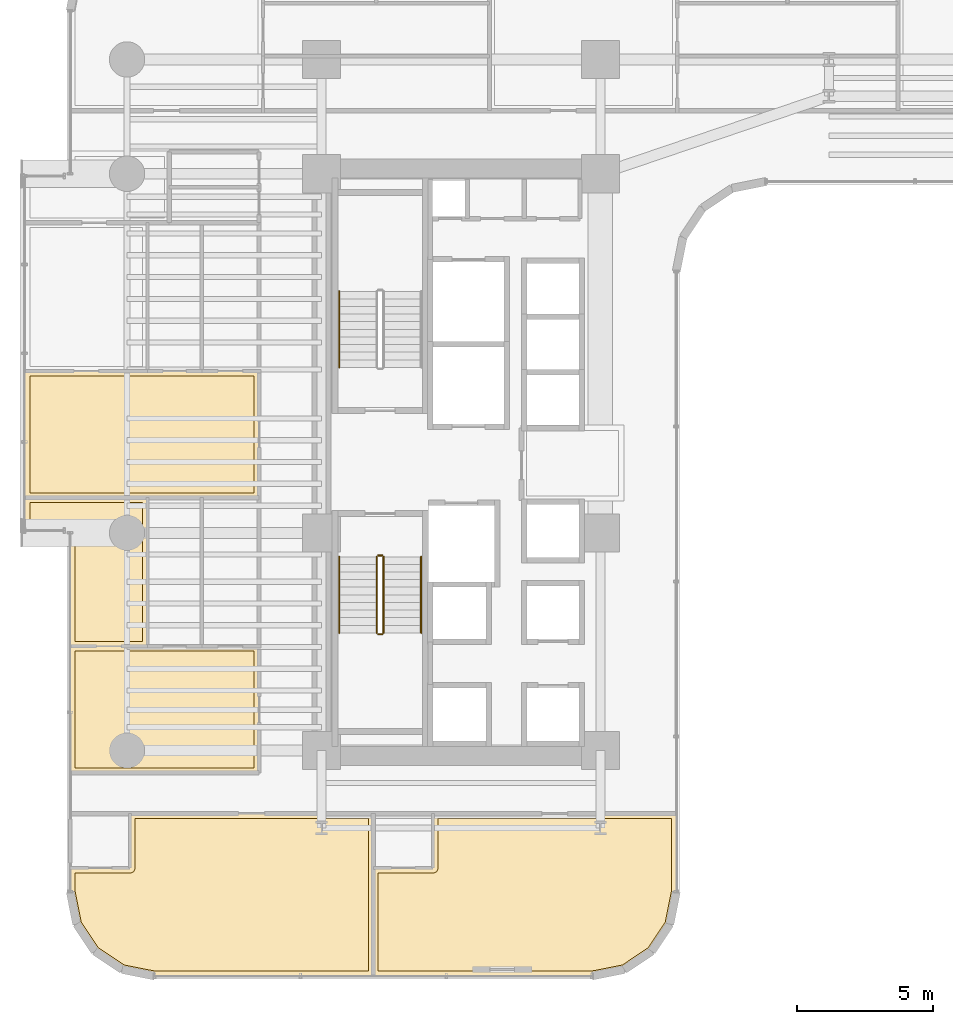
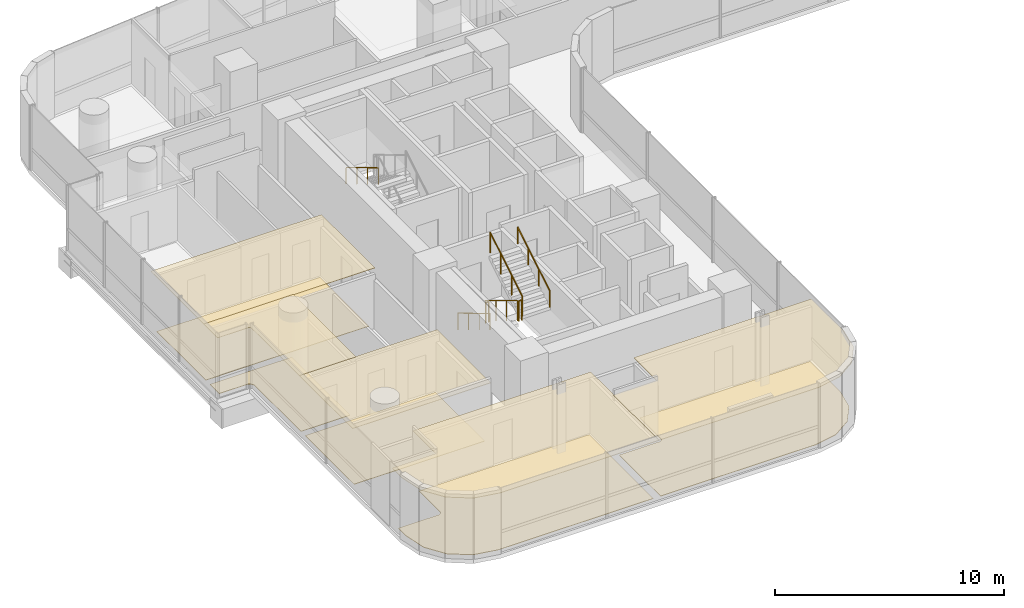
# One storey, part 35 of 40: 10 coverings, 7 railings.
"""IFC4 building model written with IfcOpenShell, lengths in metres."""

from ifc_helpers import new_model, si_unit, direction, frame, origin, origin_2d, place, context, subcontext, project, spatial, polyline, circle, outline, extrude, material, layer, layer_set, type_object, element, save


model = new_model("IFC4")

# Units and contexts
model_context = context("Model", 3, precision=1e-05, world=origin(), true_north=direction((0.0, 1.0)))
body_context = subcontext(model_context, "Body", "Model", "MODEL_VIEW")
ifc_project = project(units=[si_unit("LENGTHUNIT", "METRE"), si_unit("AREAUNIT", "SQUARE_METRE"), si_unit("VOLUMEUNIT", "CUBIC_METRE"), si_unit("PLANEANGLEUNIT", "RADIAN"), si_unit("MASSUNIT", "GRAM", prefix="KILO")], contexts=[model_context])

# Site, building, storey
site_placement = place(None, origin())
site = spatial("IfcSite", under=ifc_project, at=site_placement, CompositionType="ELEMENT")
building_placement = place(site_placement, origin())
building = spatial("IfcBuilding", under=site, at=building_placement, Name="Valdorenza Pilgrim Sanctuary Tower", CompositionType="ELEMENT")
storey_placement = place(building_placement, frame((0.0, 0.0, 40.800048828125)))
storey = spatial("IfcBuildingStorey", under=building, at=storey_placement, Name="L09", CompositionType="ELEMENT", Elevation=40.800048828125)

# Coverings
ifc_material_1 = material(Name="Micro-perforated acoustic mineral ceiling tile", Category="gypsum")
ifc_layer_1 = layer(ifc_material_1, 0.02490234375, Name="Micro-perforated acoustic mineral ceiling tile")
ifc_layer_set_1 = layer_set([ifc_layer_1], Name="Micro-perforated acoustic mineral ceiling tile")
covering_type_1 = type_object("IfcCoveringType", Name="COV-CLG-ACU", PredefinedType="CEILING", material=ifc_layer_set_1)
covering_1_placement = place(storey_placement, frame((0.0, 0.0, 3.159912109375)))
element("IfcCovering", 1, at=covering_1_placement, inside=storey, type_object=covering_type_1, Name="L09 Pilgrim Family Flat L09-W1 Bedroom Acoustic Ceiling", PredefinedType="CEILING", context=body_context, shape_type="SweptSolid", body=[
    extrude(outline(polyline([(-29.034912109375, -6.769287109375), (-29.03515625, -6.77099609375), (-29.035400390625, -6.772216796875), (-29.03564453125, -6.773681640625), (-29.0361328125, -6.775146484375), (-29.036865234375, -6.776611328125), (-29.03759765625, -6.777587890625), (-29.038330078125, -6.77880859375), (-29.039306640625, -6.780029296875), (-29.04052734375, -6.781005859375), (-29.041748046875, -6.781982421875), (-29.04296875, -6.78271484375), (-29.044189453125, -6.783203125), (-29.045654296875, -6.78369140625), (-29.047119140625, -6.7841796875), (-29.048583984375, -6.7841796875), (-29.050048828125, -6.784423828125), (-31.889892578125, -6.784423828125), (-31.8916015625, -6.7841796875), (-31.892822265625, -6.7841796875), (-31.894287109375, -6.78369140625), (-31.895751953125, -6.783203125), (-31.897216796875, -6.78271484375), (-31.898193359375, -6.781982421875), (-31.8994140625, -6.781005859375), (-31.900634765625, -6.780029296875), (-31.901611328125, -6.77880859375), (-31.902587890625, -6.777587890625), (-31.9033203125, -6.776611328125), (-31.90380859375, -6.775146484375), (-31.904296875, -6.773681640625), (-31.90478515625, -6.772216796875), (-31.90478515625, -6.77099609375), (-31.905029296875, -6.769287109375), (-31.905029296875, -2.600341796875), (-31.905517578125, -2.5908203125), (-31.90673828125, -2.58154296875), (-31.9091796875, -2.572509765625), (-31.912109375, -2.563720703125), (-31.916259765625, -2.55517578125), (-31.9208984375, -2.547119140625), (-31.926513671875, -2.539794921875), (-31.932861328125, -2.53271484375), (-31.939697265625, -2.526611328125), (-31.947265625, -2.52099609375), (-31.955078125, -2.51611328125), (-31.963623046875, -2.51220703125), (-31.972412109375, -2.509033203125), (-31.9814453125, -2.5068359375), (-31.99072265625, -2.505615234375), (-32.00048828125, -2.5048828125), (-33.5400390625, -2.5048828125), (-33.54150390625, -2.5048828125), (-33.54296875, -2.504638671875), (-33.54443359375, -2.50439453125), (-33.545654296875, -2.50390625), (-33.547119140625, -2.503173828125), (-33.54833984375, -2.50244140625), (-33.549560546875, -2.501708984375), (-33.550537109375, -2.50048828125), (-33.551513671875, -2.49951171875), (-33.552490234375, -2.498291015625), (-33.55322265625, -2.4970703125), (-33.553955078125, -2.49560546875), (-33.554443359375, -2.494384765625), (-33.5546875, -2.492919921875), (-33.554931640625, -2.491455078125), (-33.554931640625, -2.489990234375), (-33.554931640625, -1.31005859375), (-33.554931640625, -1.30859375), (-33.5546875, -1.30712890625), (-33.554443359375, -1.3056640625), (-33.553955078125, -1.30419921875), (-33.55322265625, -1.302978515625), (-33.552490234375, -1.3017578125), (-33.551513671875, -1.300537109375), (-33.550537109375, -1.29931640625), (-33.549560546875, -1.29833984375), (-33.54833984375, -1.297607421875), (-33.547119140625, -1.296875), (-33.545654296875, -1.296142578125), (-33.54443359375, -1.295654296875), (-33.54296875, -1.29541015625), (-33.54150390625, -1.295166015625), (-33.5400390625, -1.294921875), (-29.050048828125, -1.294921875), (-29.048583984375, -1.295166015625), (-29.047119140625, -1.29541015625), (-29.045654296875, -1.295654296875), (-29.044189453125, -1.296142578125), (-29.04296875, -1.296875), (-29.041748046875, -1.297607421875), (-29.04052734375, -1.29833984375), (-29.039306640625, -1.29931640625), (-29.038330078125, -1.300537109375), (-29.03759765625, -1.3017578125), (-29.036865234375, -1.302978515625), (-29.0361328125, -1.30419921875), (-29.03564453125, -1.3056640625), (-29.035400390625, -1.30712890625), (-29.03515625, -1.30859375), (-29.034912109375, -1.31005859375), (-29.034912109375, -6.769287109375)])), origin(), (0.0, 0.0, 1.0), 0.025146484375),
])
covering_2_placement = place(storey_placement, frame((0.0, 0.0, 3.159912109375)))
element("IfcCovering", 2, at=covering_2_placement, inside=storey, type_object=covering_type_1, Name="L09 Pilgrim Family Flat L09-W1 Living Room Acoustic Ceiling", PredefinedType="CEILING", context=body_context, shape_type="SweptSolid", body=[
    extrude(outline(polyline([(-29.055419921875, -6.75634765625), (-29.054931640625, -6.756103515625), (-29.0537109375, -6.755615234375), (-29.05224609375, -6.7548828125), (-29.05078125, -6.754638671875), (-29.04931640625, -6.75439453125), (-29.048095703125, -6.75439453125), (-24.949951171875, -6.75439453125), (-24.948486328125, -6.75439453125), (-24.947021484375, -6.754638671875), (-24.945556640625, -6.7548828125), (-24.9443359375, -6.755615234375), (-24.94287109375, -6.756103515625), (-24.941650390625, -6.7568359375), (-24.9404296875, -6.7578125), (-24.939453125, -6.7587890625), (-24.9384765625, -6.760009765625), (-24.9375, -6.760986328125), (-24.936767578125, -6.76220703125), (-24.93603515625, -6.763671875), (-24.935546875, -6.764892578125), (-24.935302734375, -6.7666015625), (-24.93505859375, -6.767822265625), (-24.93505859375, -6.769287109375), (-24.93505859375, -11.419921875), (-24.93505859375, -11.42138671875), (-24.935302734375, -11.4228515625), (-24.935546875, -11.42431640625), (-24.93603515625, -11.42578125), (-24.936767578125, -11.427001953125), (-24.9375, -11.42822265625), (-24.9384765625, -11.429443359375), (-24.939453125, -11.4306640625), (-24.9404296875, -11.431640625), (-24.941650390625, -11.4326171875), (-24.94287109375, -11.43310546875), (-24.9443359375, -11.433837890625), (-24.945556640625, -11.434326171875), (-24.947021484375, -11.434814453125), (-24.948486328125, -11.434814453125), (-24.949951171875, -11.43505859375), (-31.889892578125, -11.43505859375), (-31.8916015625, -11.434814453125), (-31.892822265625, -11.434814453125), (-31.894287109375, -11.434326171875), (-31.895751953125, -11.433837890625), (-31.897216796875, -11.43310546875), (-31.898193359375, -11.4326171875), (-31.8994140625, -11.431640625), (-31.900634765625, -11.4306640625), (-31.901611328125, -11.429443359375), (-31.902587890625, -11.42822265625), (-31.9033203125, -11.427001953125), (-31.90380859375, -11.42578125), (-31.904296875, -11.42431640625), (-31.90478515625, -11.4228515625), (-31.90478515625, -11.42138671875), (-31.905029296875, -11.419921875), (-31.905029296875, -6.771484375), (-31.90478515625, -6.77001953125), (-31.90478515625, -6.7685546875), (-31.904296875, -6.76708984375), (-31.90380859375, -6.765625), (-31.9033203125, -6.764404296875), (-31.902587890625, -6.76318359375), (-31.901611328125, -6.761962890625), (-31.900634765625, -6.7607421875), (-31.8994140625, -6.759765625), (-31.898193359375, -6.7587890625), (-31.897216796875, -6.75830078125), (-31.895751953125, -6.757568359375), (-31.894287109375, -6.757080078125), (-31.892822265625, -6.756591796875), (-31.8916015625, -6.756591796875), (-31.889892578125, -6.75634765625), (-29.055419921875, -6.75634765625)])), origin(), (0.0, 0.0, 1.0), 0.025146484375),
])
covering_3_placement = place(storey_placement, frame((0.0, 0.0, 3.159912109375)))
element("IfcCovering", 3, at=covering_3_placement, inside=storey, type_object=covering_type_1, Name="L09 Pilgrim Family Flat L09-W2 Living Room Acoustic Ceiling", PredefinedType="CEILING", context=body_context, shape_type="SweptSolid", body=[
    extrude(outline(polyline([(-29.055419921875, 3.353515625), (-29.054931640625, 3.35400390625), (-29.0537109375, 3.3544921875), (-29.05224609375, 3.35498046875), (-29.05078125, 3.355224609375), (-29.04931640625, 3.35546875), (-29.048095703125, 3.355712890625), (-24.949951171875, 3.355712890625), (-24.948486328125, 3.35546875), (-24.947021484375, 3.355224609375), (-24.945556640625, 3.35498046875), (-24.9443359375, 3.3544921875), (-24.94287109375, 3.353759765625), (-24.941650390625, 3.35302734375), (-24.9404296875, 3.352294921875), (-24.939453125, 3.351318359375), (-24.9384765625, 3.35009765625), (-24.9375, 3.348876953125), (-24.936767578125, 3.34765625), (-24.93603515625, 3.34619140625), (-24.935546875, 3.344970703125), (-24.935302734375, 3.343505859375), (-24.93505859375, 3.342041015625), (-24.93505859375, 3.340576171875), (-24.93505859375, -1.30810546875), (-24.93505859375, -1.3095703125), (-24.935302734375, -1.310791015625), (-24.935546875, -1.3125), (-24.93603515625, -1.313720703125), (-24.936767578125, -1.315185546875), (-24.9375, -1.31640625), (-24.9384765625, -1.3173828125), (-24.939453125, -1.318603515625), (-24.9404296875, -1.319580078125), (-24.941650390625, -1.320556640625), (-24.94287109375, -1.3212890625), (-24.9443359375, -1.322021484375), (-24.945556640625, -1.322509765625), (-24.947021484375, -1.32275390625), (-24.948486328125, -1.322998046875), (-24.949951171875, -1.322998046875), (-27.04833984375, -1.322998046875), (-27.048828125, -1.322998046875), (-27.050537109375, -1.3232421875), (-27.052001953125, -1.3232421875), (-27.053466796875, -1.322998046875), (-27.0537109375, -1.322998046875), (-29.04638671875, -1.322998046875), (-29.046875, -1.322998046875), (-29.048583984375, -1.3232421875), (-29.050048828125, -1.3232421875), (-29.051513671875, -1.322998046875), (-29.0517578125, -1.322998046875), (-33.5400390625, -1.322998046875), (-33.54150390625, -1.322998046875), (-33.54296875, -1.32275390625), (-33.54443359375, -1.322509765625), (-33.545654296875, -1.322021484375), (-33.547119140625, -1.3212890625), (-33.54833984375, -1.320556640625), (-33.549560546875, -1.319580078125), (-33.550537109375, -1.318603515625), (-33.551513671875, -1.3173828125), (-33.552490234375, -1.31640625), (-33.55322265625, -1.315185546875), (-33.553955078125, -1.313720703125), (-33.554443359375, -1.3125), (-33.5546875, -1.310791015625), (-33.554931640625, -1.3095703125), (-33.554931640625, -1.30810546875), (-33.554931640625, 3.338623046875), (-33.554931640625, 3.340087890625), (-33.5546875, 3.341552734375), (-33.554443359375, 3.343017578125), (-33.553955078125, 3.34423828125), (-33.55322265625, 3.345703125), (-33.552490234375, 3.346923828125), (-33.551513671875, 3.34814453125), (-33.550537109375, 3.34912109375), (-33.549560546875, 3.35009765625), (-33.54833984375, 3.35107421875), (-33.547119140625, 3.351806640625), (-33.545654296875, 3.3525390625), (-33.54443359375, 3.35302734375), (-33.54296875, 3.353271484375), (-33.54150390625, 3.353515625), (-33.5400390625, 3.353515625), (-29.055419921875, 3.353515625)])), origin(), (0.0, 0.0, 1.0), 0.025146484375),
])
covering_4_placement = place(storey_placement, frame((0.0, 0.0, 3.159912109375)))
element("IfcCovering", 4, at=covering_4_placement, inside=storey, type_object=covering_type_1, Name="L09 South Sanctuary Guest Room L09-S1A Acoustic Ceiling", PredefinedType="CEILING", context=body_context, shape_type="SweptSolid", body=[
    extrude(outline(polyline([(-29.702880859375, -14.906982421875), (-29.702880859375, -12.919921875), (-29.702880859375, -12.91845703125), (-29.70263671875, -12.9169921875), (-29.702392578125, -12.91552734375), (-29.701904296875, -12.914306640625), (-29.701171875, -12.912841796875), (-29.700439453125, -12.91162109375), (-29.69970703125, -12.910400390625), (-29.698486328125, -12.909423828125), (-29.697509765625, -12.908447265625), (-29.6962890625, -12.907470703125), (-29.695068359375, -12.90673828125), (-29.693603515625, -12.906005859375), (-29.6923828125, -12.905517578125), (-29.69091796875, -12.9052734375), (-29.689453125, -12.905029296875), (-29.68798828125, -12.905029296875), (-20.75, -12.905029296875), (-20.74853515625, -12.905029296875), (-20.7470703125, -12.9052734375), (-20.74560546875, -12.905517578125), (-20.744384765625, -12.906005859375), (-20.742919921875, -12.90673828125), (-20.74169921875, -12.907470703125), (-20.740478515625, -12.908447265625), (-20.739501953125, -12.909423828125), (-20.73828125, -12.910400390625), (-20.737548828125, -12.91162109375), (-20.73681640625, -12.912841796875), (-20.736083984375, -12.914306640625), (-20.735595703125, -12.91552734375), (-20.7353515625, -12.9169921875), (-20.735107421875, -12.91845703125), (-20.735107421875, -12.919921875), (-20.735107421875, -18.889892578125), (-20.735107421875, -18.8916015625), (-20.7353515625, -18.892822265625), (-20.735595703125, -18.894287109375), (-20.736083984375, -18.895751953125), (-20.73681640625, -18.897216796875), (-20.737548828125, -18.898193359375), (-20.73828125, -18.8994140625), (-20.739501953125, -18.900634765625), (-20.740478515625, -18.901611328125), (-20.74169921875, -18.902587890625), (-20.742919921875, -18.9033203125), (-20.744384765625, -18.90380859375), (-20.74560546875, -18.904296875), (-20.7470703125, -18.90478515625), (-20.74853515625, -18.90478515625), (-20.75, -18.905029296875), (-28.789306640625, -18.905029296875), (-28.79052734375, -18.90478515625), (-28.7919921875, -18.90478515625), (-29.984619140625, -18.66748046875), (-29.986083984375, -18.6669921875), (-29.9873046875, -18.66650390625), (-29.98876953125, -18.666015625), (-29.989990234375, -18.665283203125), (-30.99169921875, -17.995849609375), (-30.992919921875, -17.9951171875), (-30.993896484375, -17.993896484375), (-30.9951171875, -17.992919921875), (-30.995849609375, -17.99169921875), (-31.665283203125, -16.989990234375), (-31.666015625, -16.98876953125), (-31.66650390625, -16.9873046875), (-31.6669921875, -16.986083984375), (-31.66748046875, -16.984619140625), (-31.90478515625, -15.7919921875), (-31.90478515625, -15.79052734375), (-31.905029296875, -15.789306640625), (-31.905029296875, -14.922119140625), (-31.90478515625, -14.92041015625), (-31.90478515625, -14.919189453125), (-31.904296875, -14.91748046875), (-31.90380859375, -14.916259765625), (-31.9033203125, -14.914794921875), (-31.902587890625, -14.913818359375), (-31.901611328125, -14.91259765625), (-31.900634765625, -14.911376953125), (-31.8994140625, -14.910400390625), (-31.898193359375, -14.909423828125), (-31.897216796875, -14.90869140625), (-31.895751953125, -14.908203125), (-31.894287109375, -14.90771484375), (-31.892822265625, -14.9072265625), (-31.8916015625, -14.906982421875), (-31.889892578125, -14.906982421875), (-29.702880859375, -14.906982421875)])), origin(), (0.0, 0.0, 1.0), 0.025146484375),
])
covering_5_placement = place(storey_placement, frame((0.0, 0.0, 3.159912109375)))
element("IfcCovering", 5, at=covering_5_placement, inside=storey, type_object=covering_type_1, Name="L09 South Sanctuary Guest Room L09-S1B Acoustic Ceiling", PredefinedType="CEILING", context=body_context, shape_type="SweptSolid", body=[
    extrude(outline(polyline([(-18.56298828125, -14.906982421875), (-18.56298828125, -12.919921875), (-18.56298828125, -12.91845703125), (-18.562744140625, -12.9169921875), (-18.5625, -12.91552734375), (-18.56201171875, -12.914306640625), (-18.561279296875, -12.912841796875), (-18.560546875, -12.91162109375), (-18.5595703125, -12.910400390625), (-18.55859375, -12.909423828125), (-18.5576171875, -12.908447265625), (-18.556396484375, -12.907470703125), (-18.55517578125, -12.90673828125), (-18.5537109375, -12.906005859375), (-18.552490234375, -12.905517578125), (-18.55078125, -12.9052734375), (-18.549560546875, -12.905029296875), (-18.548095703125, -12.905029296875), (-9.610107421875, -12.905029296875), (-9.6083984375, -12.905029296875), (-9.607177734375, -12.9052734375), (-9.605712890625, -12.905517578125), (-9.604248046875, -12.906005859375), (-9.602783203125, -12.90673828125), (-9.601806640625, -12.907470703125), (-9.6005859375, -12.908447265625), (-9.599365234375, -12.909423828125), (-9.598388671875, -12.910400390625), (-9.597412109375, -12.91162109375), (-9.5966796875, -12.912841796875), (-9.59619140625, -12.914306640625), (-9.595703125, -12.91552734375), (-9.59521484375, -12.9169921875), (-9.59521484375, -12.91845703125), (-9.594970703125, -12.919921875), (-9.594970703125, -15.789306640625), (-9.59521484375, -15.79052734375), (-9.59521484375, -15.7919921875), (-9.83251953125, -16.984619140625), (-9.8330078125, -16.986083984375), (-9.83349609375, -16.9873046875), (-9.833984375, -16.98876953125), (-9.834716796875, -16.989990234375), (-10.504150390625, -17.99169921875), (-10.5048828125, -17.992919921875), (-10.506103515625, -17.993896484375), (-10.507080078125, -17.9951171875), (-10.50830078125, -17.995849609375), (-11.510009765625, -18.665283203125), (-11.51123046875, -18.666015625), (-11.5126953125, -18.66650390625), (-11.513916015625, -18.6669921875), (-11.515380859375, -18.66748046875), (-12.7080078125, -18.90478515625), (-12.70947265625, -18.90478515625), (-12.710693359375, -18.905029296875), (-20.748046875, -18.905029296875), (-20.74951171875, -18.90478515625), (-20.7509765625, -18.90478515625), (-20.75244140625, -18.904296875), (-20.753662109375, -18.90380859375), (-20.755126953125, -18.9033203125), (-20.75634765625, -18.902587890625), (-20.757568359375, -18.901611328125), (-20.758544921875, -18.900634765625), (-20.759521484375, -18.8994140625), (-20.760498046875, -18.898193359375), (-20.76123046875, -18.897216796875), (-20.761962890625, -18.895751953125), (-20.762451171875, -18.894287109375), (-20.7626953125, -18.892822265625), (-20.762939453125, -18.8916015625), (-20.762939453125, -18.889892578125), (-20.762939453125, -14.922119140625), (-20.762939453125, -14.92041015625), (-20.7626953125, -14.919189453125), (-20.762451171875, -14.91748046875), (-20.761962890625, -14.916259765625), (-20.76123046875, -14.914794921875), (-20.760498046875, -14.913818359375), (-20.759521484375, -14.91259765625), (-20.758544921875, -14.911376953125), (-20.757568359375, -14.910400390625), (-20.75634765625, -14.909423828125), (-20.755126953125, -14.90869140625), (-20.753662109375, -14.908203125), (-20.75244140625, -14.90771484375), (-20.7509765625, -14.9072265625), (-20.74951171875, -14.906982421875), (-20.748046875, -14.906982421875), (-18.56298828125, -14.906982421875)])), origin(), (0.0, 0.0, 1.0), 0.025146484375),
])
ifc_material_2 = material(Name="Engineered European oak timber flooring", Category="wood")
ifc_layer_2 = layer(ifc_material_2, 0.02197265625, Name="Engineered European oak timber flooring")
ifc_layer_set_2 = layer_set([ifc_layer_2], Name="Engineered European oak timber flooring")
covering_type_2 = type_object("IfcCoveringType", Name="COV-FLR-OAK", PredefinedType="FLOORING", material=ifc_layer_set_2)
covering_6_placement = place(storey_placement, origin())
element("IfcCovering", 6, at=covering_6_placement, inside=storey, type_object=covering_type_2, Name="L09 Pilgrim Family Flat L09-W1 Bedroom Flooring", PredefinedType="FLOORING", context=body_context, shape_type="SweptSolid", body=[
    extrude(outline(polyline([(-29.22998046875, -6.58935546875), (-31.7099609375, -6.58935546875), (-31.7099609375, -2.60009765625), (-31.710205078125, -2.59130859375), (-31.710693359375, -2.580322265625), (-31.71240234375, -2.562744140625), (-31.714111328125, -2.552001953125), (-31.717529296875, -2.534912109375), (-31.72021484375, -2.5244140625), (-31.725341796875, -2.50732421875), (-31.72900390625, -2.497314453125), (-31.735595703125, -2.48095703125), (-31.740234375, -2.47119140625), (-31.74853515625, -2.45556640625), (-31.754150390625, -2.4462890625), (-31.763916015625, -2.431640625), (-31.7705078125, -2.423095703125), (-31.781494140625, -2.4091796875), (-31.788818359375, -2.4013671875), (-31.80126953125, -2.388916015625), (-31.809326171875, -2.381591796875), (-31.822998046875, -2.370361328125), (-31.831787109375, -2.364013671875), (-31.84619140625, -2.35400390625), (-31.855712890625, -2.3486328125), (-31.87109375, -2.34033203125), (-31.880859375, -2.335693359375), (-31.897216796875, -2.328857421875), (-31.907470703125, -2.3251953125), (-31.92431640625, -2.320068359375), (-31.934814453125, -2.3173828125), (-31.9521484375, -2.314208984375), (-31.962890625, -2.3125), (-31.98046875, -2.310791015625), (-31.9912109375, -2.310302734375), (-32.0, -2.31005859375), (-33.360107421875, -2.31005859375), (-33.360107421875, -1.489990234375), (-29.22998046875, -1.489990234375), (-29.22998046875, -6.58935546875)])), origin(), (0.0, 0.0, 1.0), 0.02490234375),
])
covering_7_placement = place(storey_placement, origin())
element("IfcCovering", 7, at=covering_7_placement, inside=storey, type_object=covering_type_2, Name="L09 Pilgrim Family Flat L09-W1 Living Room Flooring", PredefinedType="FLOORING", context=body_context, shape_type="SweptSolid", body=[
    extrude(outline(polyline([(-25.1298828125, -11.239990234375), (-31.7099609375, -11.239990234375), (-31.7099609375, -6.951416015625), (-29.050048828125, -6.951416015625), (-25.1298828125, -6.949462890625), (-25.1298828125, -11.239990234375)])), origin(), (0.0, 0.0, 1.0), 0.02490234375),
])
covering_8_placement = place(storey_placement, origin())
element("IfcCovering", 8, at=covering_8_placement, inside=storey, type_object=covering_type_2, Name="L09 Pilgrim Family Flat L09-W2 Living Room Flooring", PredefinedType="FLOORING", context=body_context, shape_type="SweptSolid", body=[
    extrude(outline(polyline([(-29.0498046875, -1.1279296875), (-29.050048828125, -1.1279296875), (-33.360107421875, -1.1279296875), (-33.360107421875, 3.15869140625), (-29.050048828125, 3.15869140625), (-25.1298828125, 3.160400390625), (-25.1298828125, -1.1279296875), (-27.050048828125, -1.1279296875), (-27.051025390625, -1.1279296875), (-27.0517578125, -1.1279296875), (-27.052001953125, -1.1279296875), (-29.048095703125, -1.1279296875), (-29.049072265625, -1.1279296875), (-29.0498046875, -1.1279296875)])), origin(), (0.0, 0.0, 1.0), 0.02490234375),
])
covering_9_placement = place(storey_placement, origin())
element("IfcCovering", 9, at=covering_9_placement, inside=storey, type_object=covering_type_2, Name="L09 South Sanctuary Guest Room L09-S1A Flooring", PredefinedType="FLOORING", context=body_context, shape_type="SweptSolid", body=[
    extrude(outline(polyline([(-28.771484375, -18.7099609375), (-29.911376953125, -18.483154296875), (-30.853515625, -17.853515625), (-31.483154296875, -16.911376953125), (-31.7099609375, -15.771484375), (-31.7099609375, -15.10205078125), (-29.68994140625, -15.10205078125), (-29.68115234375, -15.101806640625), (-29.680908203125, -15.101806640625), (-29.663330078125, -15.10009765625), (-29.6630859375, -15.10009765625), (-29.64599609375, -15.0966796875), (-29.645751953125, -15.096435546875), (-29.62890625, -15.09130859375), (-29.628662109375, -15.09130859375), (-29.6123046875, -15.084716796875), (-29.612060546875, -15.08447265625), (-29.596435546875, -15.076171875), (-29.596435546875, -15.076171875), (-29.581787109375, -15.066162109375), (-29.58154296875, -15.066162109375), (-29.56787109375, -15.054931640625), (-29.567626953125, -15.0546875), (-29.55517578125, -15.042236328125), (-29.55517578125, -15.0419921875), (-29.5439453125, -15.028564453125), (-29.543701171875, -15.0283203125), (-29.533935546875, -15.013671875), (-29.53369140625, -15.013427734375), (-29.525390625, -14.997802734375), (-29.525390625, -14.997802734375), (-29.518798828125, -14.9814453125), (-29.5185546875, -14.981201171875), (-29.513427734375, -14.96435546875), (-29.513427734375, -14.964111328125), (-29.510009765625, -14.94677734375), (-29.510009765625, -14.946533203125), (-29.50830078125, -14.928955078125), (-29.50830078125, -14.9287109375), (-29.508056640625, -14.919921875), (-29.508056640625, -13.10009765625), (-20.929931640625, -13.10009765625), (-20.929931640625, -18.7099609375), (-28.771484375, -18.7099609375)])), origin(), (0.0, 0.0, 1.0), 0.02490234375),
])
covering_10_placement = place(storey_placement, origin())
element("IfcCovering", 10, at=covering_10_placement, inside=storey, type_object=covering_type_2, Name="L09 South Sanctuary Guest Room L09-S1B Flooring", PredefinedType="FLOORING", context=body_context, shape_type="SweptSolid", body=[
    extrude(outline(polyline([(-10.016845703125, -16.911376953125), (-10.646484375, -17.853515625), (-11.588623046875, -18.483154296875), (-12.728515625, -18.7099609375), (-20.568115234375, -18.7099609375), (-20.568115234375, -15.10205078125), (-18.550048828125, -15.10205078125), (-18.541259765625, -15.101806640625), (-18.541015625, -15.101806640625), (-18.5234375, -15.10009765625), (-18.523193359375, -15.10009765625), (-18.505859375, -15.0966796875), (-18.505615234375, -15.096435546875), (-18.48876953125, -15.09130859375), (-18.488525390625, -15.09130859375), (-18.472412109375, -15.084716796875), (-18.47216796875, -15.08447265625), (-18.45654296875, -15.076171875), (-18.456298828125, -15.076171875), (-18.441650390625, -15.066162109375), (-18.44140625, -15.066162109375), (-18.427978515625, -15.054931640625), (-18.427734375, -15.0546875), (-18.415283203125, -15.042236328125), (-18.4150390625, -15.0419921875), (-18.40380859375, -15.028564453125), (-18.40380859375, -15.0283203125), (-18.393798828125, -15.013671875), (-18.393798828125, -15.013427734375), (-18.385498046875, -14.997802734375), (-18.385498046875, -14.997802734375), (-18.378662109375, -14.9814453125), (-18.378662109375, -14.981201171875), (-18.37353515625, -14.96435546875), (-18.373291015625, -14.964111328125), (-18.3701171875, -14.94677734375), (-18.3701171875, -14.946533203125), (-18.3681640625, -14.928955078125), (-18.3681640625, -14.9287109375), (-18.367919921875, -14.919921875), (-18.367919921875, -13.10009765625), (-9.7900390625, -13.10009765625), (-9.7900390625, -15.771484375), (-10.016845703125, -16.911376953125)])), origin(), (0.0, 0.0, 1.0), 0.02490234375),
])

# Railings
ifc_material_3 = material(Name="Stainless steel Grade 316", Category="steel")
railing_type_1 = type_object("IfcRailingType", Name="RLG-GRD-1120", PredefinedType="GUARDRAIL", material=ifc_material_3)
railing_1_placement = place(storey_placement, frame((-20.6201171875, -3.47998046875, 0.168212890625)))
element("IfcRailing", 11, at=railing_1_placement, inside=storey, type_object=railing_type_1, Name="L09 ST-A2 stair guard 1", PredefinedType="GUARDRAIL", context=body_context, shape_type="SweptSolid", body=[
    extrude(circle(Radius=0.02392578125, at=origin_2d()), frame((0.0, 0.0, 1.076171875), z_axis=(0.0, -0.857275202839, 0.514858452973), x_axis=(1.0, 0.0, 0.0)), (0.0, 0.0, 1.0), 3.26611328125),
    extrude(circle(Radius=0.02099609375, at=origin_2d()), origin(), (0.0, 0.0, 1.0), 1.052001953125),
    extrude(circle(Radius=0.02099609375, at=origin_2d()), frame((0.0, -0.933349609375, 0.560546875)), (0.0, 0.0, 1.0), 1.052001953125),
    extrude(circle(Radius=0.02099609375, at=origin_2d()), frame((0.0, -1.86669921875, 1.12109375)), (0.0, 0.0, 1.0), 1.052001953125),
    extrude(circle(Radius=0.02099609375, at=origin_2d()), frame((0.0, -2.800048828125, 1.681640625)), (0.0, 0.0, 1.0), 1.052001953125),
])
railing_2_placement = place(storey_placement, frame((-20.570068359375, -6.330078125, 1.849853515625)))
element("IfcRailing", 12, at=railing_2_placement, inside=storey, type_object=railing_type_1, Name="L09 ST-A2 stair guard 2", PredefinedType="GUARDRAIL", context=body_context, shape_type="SweptSolid", body=[
    extrude(circle(Radius=0.02392578125, at=origin_2d()), frame((0.0, 0.0, 1.076171875), z_axis=(1.0, 0.0, 0.0), x_axis=(0.0, 1.0, 0.0)), (0.0, 0.0, 1.0), 0.150146484375),
    extrude(circle(Radius=0.02099609375, at=origin_2d()), origin(), (0.0, 0.0, 1.0), 1.052001953125),
    extrude(circle(Radius=0.02099609375, at=origin_2d()), frame((0.150146484375, 0.0, 0.0)), (0.0, 0.0, 1.0), 1.052001953125),
])
railing_3_placement = place(storey_placement, frame((-20.3701171875, -6.280029296875, 2.01806640625)))
element("IfcRailing", 13, at=railing_3_placement, inside=storey, type_object=railing_type_1, Name="L09 ST-A2 stair guard 3", PredefinedType="GUARDRAIL", context=body_context, shape_type="SweptSolid", body=[
    extrude(circle(Radius=0.02392578125, at=origin_2d()), frame((0.0, 0.0, 1.076171875), z_axis=(0.0, 0.857242210791, 0.514913383045), x_axis=(-1.0, 0.0, 0.0)), (0.0, 0.0, 1.0), 3.266357421875),
    extrude(circle(Radius=0.02099609375, at=origin_2d()), origin(), (0.0, 0.0, 1.0), 1.052001953125),
    extrude(circle(Radius=0.02099609375, at=origin_2d()), frame((0.0, 0.933349609375, 0.560546875)), (0.0, 0.0, 1.0), 1.052001953125),
    extrude(circle(Radius=0.02099609375, at=origin_2d()), frame((0.0, 1.86669921875, 1.121337890625)), (0.0, 0.0, 1.0), 1.052001953125),
    extrude(circle(Radius=0.02099609375, at=origin_2d()), frame((0.0, 2.800048828125, 1.681884765625)), (0.0, 0.0, 1.0), 1.052001953125),
])
railing_4_placement = place(storey_placement, frame((-20.570068359375, -3.429931640625, 0.0)))
element("IfcRailing", 14, at=railing_4_placement, inside=storey, type_object=railing_type_1, Name="L09 ST-A2 stair guard 4", PredefinedType="GUARDRAIL", context=body_context, shape_type="SweptSolid", body=[
    extrude(circle(Radius=0.02392578125, at=origin_2d()), frame((0.0, 0.0, 1.076171875), z_axis=(1.0, 0.0, 0.0), x_axis=(0.0, 1.0, 0.0)), (0.0, 0.0, 1.0), 0.150146484375),
    extrude(circle(Radius=0.02099609375, at=origin_2d()), origin(), (0.0, 0.0, 1.0), 1.052001953125),
    extrude(circle(Radius=0.02099609375, at=origin_2d()), frame((0.150146484375, 0.0, 0.0)), (0.0, 0.0, 1.0), 1.052001953125),
])
ifc_material_4 = material(Name="Brushed stainless steel Grade 316", Category="steel")
railing_type_2 = type_object("IfcRailingType", Name="RLG-HND-920", PredefinedType="HANDRAIL", material=ifc_material_4)
railing_5_placement = place(storey_placement, frame((-22.0, 6.280029296875, 2.01806640625)))
element("IfcRailing", 15, at=railing_5_placement, inside=storey, type_object=railing_type_2, Name="L09 ST-A1 stair handrail 2", PredefinedType="HANDRAIL", context=body_context, shape_type="SweptSolid", body=[
    extrude(circle(Radius=0.02392578125, at=origin_2d()), frame((0.0, 0.0, 0.8759765625), z_axis=(0.0, -0.857242210791, 0.514913383045), x_axis=(1.0, 0.0, 0.0)), (0.0, 0.0, 1.0), 3.266357421875),
    extrude(circle(Radius=0.02099609375, at=origin_2d()), origin(), (0.0, 0.0, 1.0), 0.851806640625),
    extrude(circle(Radius=0.02099609375, at=origin_2d()), frame((0.0, -0.933349609375, 0.560546875)), (0.0, 0.0, 1.0), 0.851806640625),
    extrude(circle(Radius=0.02099609375, at=origin_2d()), frame((0.0, -1.86669921875, 1.121337890625)), (0.0, 0.0, 1.0), 0.851806640625),
    extrude(circle(Radius=0.02099609375, at=origin_2d()), frame((0.0, -2.800048828125, 1.681884765625)), (0.0, 0.0, 1.0), 0.851806640625),
])
railing_6_placement = place(storey_placement, frame((-22.0, -3.47998046875, 0.168212890625)))
element("IfcRailing", 16, at=railing_6_placement, inside=storey, type_object=railing_type_2, Name="L09 ST-A2 stair handrail 1", PredefinedType="HANDRAIL", context=body_context, shape_type="SweptSolid", body=[
    extrude(circle(Radius=0.02392578125, at=origin_2d()), frame((0.0, 0.0, 0.8759765625), z_axis=(0.0, -0.857275202839, 0.514858452973), x_axis=(1.0, 0.0, 0.0)), (0.0, 0.0, 1.0), 3.26611328125),
    extrude(circle(Radius=0.02099609375, at=origin_2d()), origin(), (0.0, 0.0, 1.0), 0.851806640625),
    extrude(circle(Radius=0.02099609375, at=origin_2d()), frame((0.0, -0.933349609375, 0.560546875)), (0.0, 0.0, 1.0), 0.851806640625),
    extrude(circle(Radius=0.02099609375, at=origin_2d()), frame((0.0, -1.86669921875, 1.12109375)), (0.0, 0.0, 1.0), 0.851806640625),
    extrude(circle(Radius=0.02099609375, at=origin_2d()), frame((0.0, -2.800048828125, 1.681640625)), (0.0, 0.0, 1.0), 0.851806640625),
])
railing_7_placement = place(storey_placement, frame((-18.989990234375, -6.280029296875, 2.01806640625)))
element("IfcRailing", 17, at=railing_7_placement, inside=storey, type_object=railing_type_2, Name="L09 ST-A2 stair handrail 2", PredefinedType="HANDRAIL", context=body_context, shape_type="SweptSolid", body=[
    extrude(circle(Radius=0.02392578125, at=origin_2d()), frame((0.0, 0.0, 0.8759765625), z_axis=(0.0, 0.857242210791, 0.514913383045), x_axis=(-1.0, 0.0, 0.0)), (0.0, 0.0, 1.0), 3.266357421875),
    extrude(circle(Radius=0.02099609375, at=origin_2d()), origin(), (0.0, 0.0, 1.0), 0.851806640625),
    extrude(circle(Radius=0.02099609375, at=origin_2d()), frame((0.0, 0.933349609375, 0.560546875)), (0.0, 0.0, 1.0), 0.851806640625),
    extrude(circle(Radius=0.02099609375, at=origin_2d()), frame((0.0, 1.86669921875, 1.121337890625)), (0.0, 0.0, 1.0), 0.851806640625),
    extrude(circle(Radius=0.02099609375, at=origin_2d()), frame((0.0, 2.800048828125, 1.681884765625)), (0.0, 0.0, 1.0), 0.851806640625),
])

save(model, "model.ifc")
